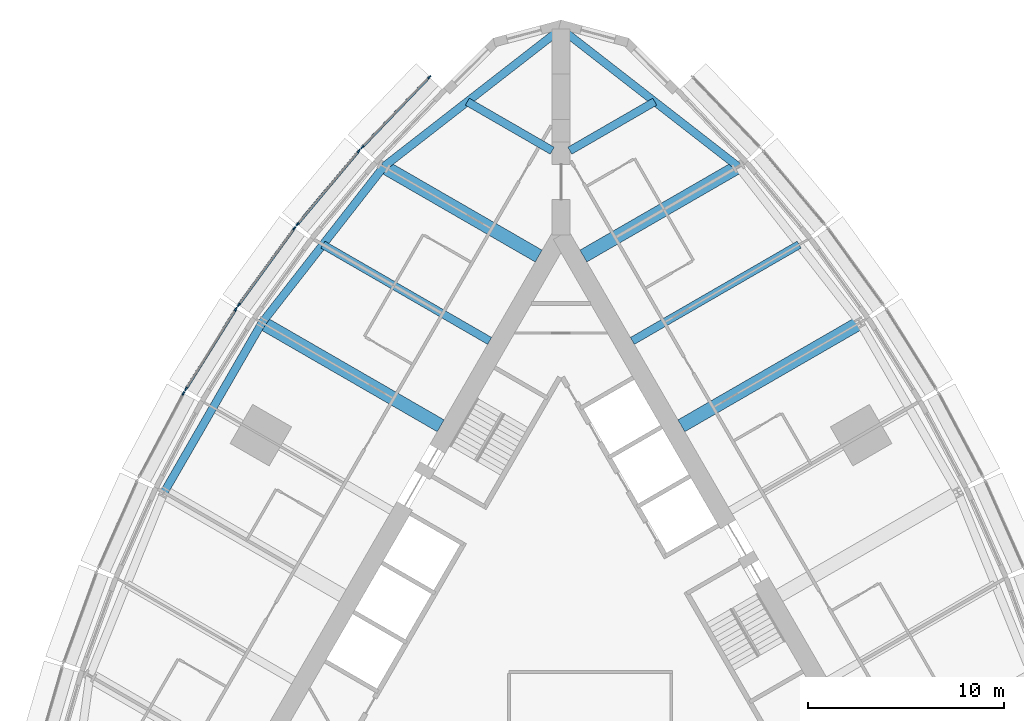
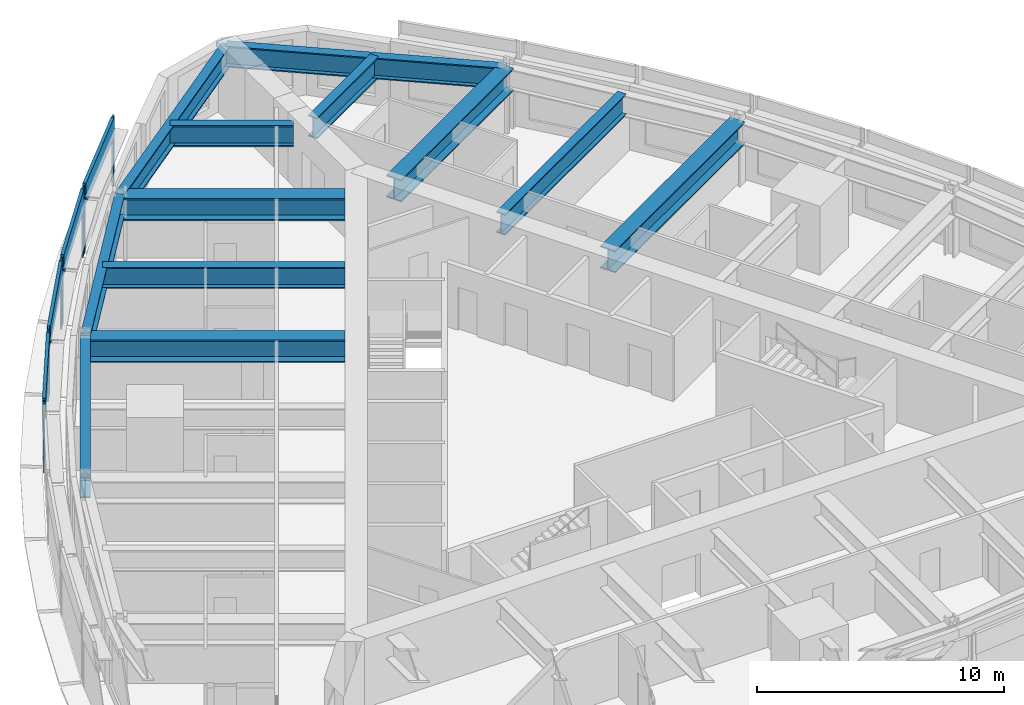
# One storey, part 5 of 15: 13 members, 12 beams, 5 elements without a shape of their own.
"""IFC4 building model written with IfcOpenShell, lengths in metres."""

from ifc_helpers import new_model, si_unit, direction, frame, origin, origin_2d, place, context, subcontext, project, spatial, rectangle, i_section, extrude, material, material_profile, profile_set, type_object, element, aggregate, save


model = new_model("IFC4")

# Units and contexts
model_context = context("Model", 3, precision=1e-05, world=origin(), true_north=direction((0.0, 1.0)))
body_context = subcontext(model_context, "Body", "Model", "MODEL_VIEW")
ifc_project = project(units=[si_unit("LENGTHUNIT", "METRE"), si_unit("AREAUNIT", "SQUARE_METRE"), si_unit("VOLUMEUNIT", "CUBIC_METRE"), si_unit("PLANEANGLEUNIT", "RADIAN"), si_unit("MASSUNIT", "GRAM", prefix="KILO")], contexts=[model_context])

# Site, building, storey
site_placement = place(None, origin())
site = spatial("IfcSite", under=ifc_project, at=site_placement, CompositionType="ELEMENT")
building_placement = place(site_placement, origin())
building = spatial("IfcBuilding", under=site, at=building_placement, Name="Trikona Tower", CompositionType="ELEMENT")
storey_placement = place(building_placement, frame((0.0, 0.0, 186.10009765625)))
storey = spatial("IfcBuildingStorey", under=building, at=storey_placement, Name="L50", CompositionType="ELEMENT", Elevation=186.10009765625)

# Curtain wall, members
ifc_material_1 = material(Name="Aluminium curtain wall system", Category="aluminium")
curtain_wall_type = type_object("IfcCurtainWallType", Name="Curtain wall DS2S", PredefinedType="NOTDEFINED", material=ifc_material_1)
curtain_wall_1_placement = place(storey_placement, origin())
curtain_wall_1 = element("IfcCurtainWall", 1, at=curtain_wall_1_placement, inside=storey, type_object=curtain_wall_type, Name="Curtain wall DS2S L50", PredefinedType="NOTDEFINED")
ifc_material_2 = material(Name="Aluminium mullion, pale anodised", Category="aluminium")
ifc_material_profile_1 = material_profile(ifc_material_2, rectangle(XDim=0.080078125, YDim=0.199951171875, at=origin_2d()), Name="MUL-DS2S")
ifc_profile_set_1 = profile_set([ifc_material_profile_1], Name="Aluminium mullion, pale anodised")
member_type_1 = type_object("IfcMemberType", Name="Mullion DS2S 80x200", PredefinedType="MULLION", material=ifc_profile_set_1)
member_1_placement = place(storey_placement, frame((-6.718994140625, 27.1083984375, 0.0), z_axis=(0.0, 0.0, 1.0), x_axis=(0.722158330767, -0.691727797117, 0.0)))
member_1 = element("IfcMember", 2, at=member_1_placement, type_object=member_type_1, Name="CW-DS2S mullion 1", PredefinedType="MULLION", context=body_context, shape_type="SweptSolid", body=[
    extrude(rectangle(XDim=0.080078125, YDim=0.199951171875, at=origin_2d()), origin(), (0.0, 0.0, 1.0), 3.39990234375),
])
member_2_placement = place(storey_placement, frame((-10.1416015625, 23.535400390625, 0.0), z_axis=(0.0, 0.0, 1.0), x_axis=(0.722158330767, -0.691727797117, 0.0)))
member_2 = element("IfcMember", 3, at=member_2_placement, type_object=member_type_1, Name="CW-DS2S mullion 2", PredefinedType="MULLION", context=body_context, shape_type="SweptSolid", body=[
    extrude(rectangle(XDim=0.080078125, YDim=0.199951171875, at=origin_2d()), origin(), (0.0, 0.0, 1.0), 3.39990234375),
])

curtain_wall_2_placement = place(storey_placement, origin())
curtain_wall_2 = element("IfcCurtainWall", 4, at=curtain_wall_2_placement, inside=storey, type_object=curtain_wall_type, Name="Curtain wall DS2S L50", PredefinedType="NOTDEFINED")
member_3_placement = place(storey_placement, frame((-10.315185546875, 23.34130859375, 0.0), z_axis=(0.0, 0.0, 1.0), x_axis=(0.766866678271, -0.641806433248, 0.0)))
member_3 = element("IfcMember", 5, at=member_3_placement, type_object=member_type_1, Name="CW-DS2S mullion 1", PredefinedType="MULLION", context=body_context, shape_type="SweptSolid", body=[
    extrude(rectangle(XDim=0.080078125, YDim=0.199951171875, at=origin_2d()), origin(), (0.0, 0.0, 1.0), 3.39990234375),
])
member_4_placement = place(storey_placement, frame((-13.44482421875, 19.602294921875, 0.0), z_axis=(0.0, 0.0, 1.0), x_axis=(0.766866678271, -0.641806433248, 0.0)))
member_4 = element("IfcMember", 6, at=member_4_placement, type_object=member_type_1, Name="CW-DS2S mullion 2", PredefinedType="MULLION", context=body_context, shape_type="SweptSolid", body=[
    extrude(rectangle(XDim=0.080078125, YDim=0.199951171875, at=origin_2d()), origin(), (0.0, 0.0, 1.0), 3.39990234375),
])

curtain_wall_3_placement = place(storey_placement, origin())
curtain_wall_3 = element("IfcCurtainWall", 7, at=curtain_wall_3_placement, inside=storey, type_object=curtain_wall_type, Name="Curtain wall DS2S L50", PredefinedType="NOTDEFINED")
member_5_placement = place(storey_placement, frame((-13.605712890625, 19.39599609375, 0.0), z_axis=(0.0, 0.0, 1.0), x_axis=(0.80908576332, -0.587690588313, 0.0)))
member_5 = element("IfcMember", 8, at=member_5_placement, type_object=member_type_1, Name="CW-DS2S mullion 1", PredefinedType="MULLION", context=body_context, shape_type="SweptSolid", body=[
    extrude(rectangle(XDim=0.080078125, YDim=0.199951171875, at=origin_2d()), origin(), (0.0, 0.0, 1.0), 3.39990234375),
])
member_6_placement = place(storey_placement, frame((-16.442626953125, 15.489990234375, 0.0), z_axis=(0.0, 0.0, 1.0), x_axis=(0.80908576332, -0.587690588313, 0.0)))
member_6 = element("IfcMember", 9, at=member_6_placement, type_object=member_type_1, Name="CW-DS2S mullion 2", PredefinedType="MULLION", context=body_context, shape_type="SweptSolid", body=[
    extrude(rectangle(XDim=0.080078125, YDim=0.199951171875, at=origin_2d()), origin(), (0.0, 0.0, 1.0), 3.39990234375),
])

curtain_wall_4_placement = place(storey_placement, origin())
curtain_wall_4 = element("IfcCurtainWall", 10, at=curtain_wall_4_placement, inside=storey, type_object=curtain_wall_type, Name="Curtain wall DS2S L50", PredefinedType="NOTDEFINED")
member_7_placement = place(storey_placement, frame((-16.589599609375, 15.2724609375, 0.0), z_axis=(0.0, 0.0, 1.0), x_axis=(0.847998304006, -0.529998940002, 0.0)))
member_7 = element("IfcMember", 11, at=member_7_placement, type_object=member_type_1, Name="CW-DS2S mullion 1", PredefinedType="MULLION", context=body_context, shape_type="SweptSolid", body=[
    extrude(rectangle(XDim=0.080078125, YDim=0.199951171875, at=origin_2d()), origin(), (0.0, 0.0, 1.0), 3.39990234375),
])
member_8_placement = place(storey_placement, frame((-19.135009765625, 11.199462890625, 0.0), z_axis=(0.0, 0.0, 1.0), x_axis=(0.847998304006, -0.529998940002, 0.0)))
member_8 = element("IfcMember", 12, at=member_8_placement, type_object=member_type_1, Name="CW-DS2S mullion 2", PredefinedType="MULLION", context=body_context, shape_type="SweptSolid", body=[
    extrude(rectangle(XDim=0.080078125, YDim=0.199951171875, at=origin_2d()), origin(), (0.0, 0.0, 1.0), 3.39990234375),
])

# Curtain wall, member
curtain_wall_5_placement = place(storey_placement, origin())
curtain_wall_5 = element("IfcCurtainWall", 13, at=curtain_wall_5_placement, inside=storey, type_object=curtain_wall_type, Name="Curtain wall DS2S L50", PredefinedType="NOTDEFINED")
member_9_placement = place(storey_placement, frame((-19.2666015625, 10.9716796875, 0.0), z_axis=(0.0, 0.0, 1.0), x_axis=(0.882996107343, -0.469380308937, 0.0)))
member_9 = element("IfcMember", 14, at=member_9_placement, type_object=member_type_1, Name="CW-DS2S mullion 1", PredefinedType="MULLION", context=body_context, shape_type="SweptSolid", body=[
    extrude(rectangle(XDim=0.080078125, YDim=0.199951171875, at=origin_2d()), origin(), (0.0, 0.0, 1.0), 3.39990234375),
])
aggregate(curtain_wall_5, [member_9])

# Beams
ifc_material_3 = material(Name="Steel ASTM A992 Grade 50", Category="steel")
ifc_material_profile_2 = material_profile(ifc_material_3, i_section(OverallWidth=0.699951171875, OverallDepth=1.10009765625, WebThickness=0.0400390625, FlangeThickness=0.06005859375, at=origin_2d()), Name="PG1100X700")
ifc_profile_set_2 = profile_set([ifc_material_profile_2], Name="Steel ASTM A992 Grade 50")
beam_type_1 = type_object("IfcBeamType", Name="Steel beam PG1100x700 (belt chord radial)", PredefinedType="BEAM", material=ifc_profile_set_2)
beam_1_placement = place(storey_placement, frame((6.1396484375, 9.318359375, 2.599853515625), z_axis=(0.866036080828, 0.499981506362, 0.0), x_axis=(-0.499981506362, 0.866036080828, 0.0)))
element("IfcBeam", 15, at=beam_1_placement, inside=storey, type_object=beam_type_1, Name="Floor beam L51 F2 u5", PredefinedType="BEAM", context=body_context, shape_type="SweptSolid", body=[
    extrude(i_section(OverallWidth=0.699951171875, OverallDepth=1.10009765625, WebThickness=0.0400390625, FlangeThickness=0.06005859375, at=origin_2d()), origin(), (0.0, 0.0, 1.0), 10.52392578125),
])
for number, where, z_axis, x_axis, name in (
    (16, (1.1396484375, 17.978515625, 2.599853515625), (0.866024725532, 0.500001174766, 0.0), (-0.500001174766, 0.866024725532, 0.0), "Floor beam L51 F2 u15"),
    (17, (-1.1396484375, 17.978515625, 2.599853515625), (-0.866024725532, 0.500001174766, 0.0), (-0.500001174766, -0.866024725532, 0.0), "Floor beam L51 F3 u-15"),
):
    element("IfcBeam", number, at=place(storey_placement, frame(where, z_axis=z_axis, x_axis=x_axis)), inside=storey, type_object=beam_type_1, Name=name, PredefinedType="BEAM", context=body_context, shape_type="SweptSolid", body=[
        extrude(i_section(OverallWidth=0.699951171875, OverallDepth=1.10009765625, WebThickness=0.0400390625, FlangeThickness=0.06005859375, at=origin_2d()), origin(), (0.0, 0.0, 1.0), 9.1240234375),
    ])
beam_2_placement = place(storey_placement, frame((-6.1396484375, 9.318359375, 2.599853515625), z_axis=(-0.866036080828, 0.499981506362, 0.0), x_axis=(-0.499981506362, -0.866036080828, 0.0)))
element("IfcBeam", 18, at=beam_2_placement, inside=storey, type_object=beam_type_1, Name="Floor beam L51 F3 u-5", PredefinedType="BEAM", context=body_context, shape_type="SweptSolid", body=[
    extrude(i_section(OverallWidth=0.699951171875, OverallDepth=1.10009765625, WebThickness=0.0400390625, FlangeThickness=0.06005859375, at=origin_2d()), origin(), (0.0, 0.0, 1.0), 10.52392578125),
])
ifc_material_4 = material(Name="Steel ASTM A992 Grade 50", Category="steel")
ifc_material_profile_3 = material_profile(ifc_material_4, i_section(OverallWidth=0.408935546875, OverallDepth=1.04150390625, WebThickness=0.031005859375, FlangeThickness=0.055908203125, at=origin_2d()), Name="W40X397")
ifc_profile_set_3 = profile_set([ifc_material_profile_3], Name="Steel ASTM A992 Grade 50")
beam_type_2 = type_object("IfcBeamType", Name="Steel beam W40x397 (plant spandrel)", PredefinedType="SPANDREL", material=ifc_profile_set_3)
for number, where, z_axis, x_axis, name in (
    (19, (9.041259765625, 22.54052734375, 2.629150390625), (-0.789367137808, 0.613921429621, 0.0), (-0.613921429621, -0.789367137808, 0.0), "Spandrel beam L51 F2-5"),
    (20, (0.0, 29.572265625, 2.629150390625), (-0.789367137808, -0.613921429621, 0.0), (0.613921429621, -0.789367137808, 0.0), "Spandrel beam L51 F3-1"),
):
    element("IfcBeam", number, at=place(storey_placement, frame(where, z_axis=z_axis, x_axis=x_axis)), inside=storey, type_object=beam_type_2, Name=name, PredefinedType="SPANDREL", context=body_context, shape_type="SweptSolid", body=[
        extrude(i_section(OverallWidth=0.408935546875, OverallDepth=1.04150390625, WebThickness=0.031005859375, FlangeThickness=0.055908203125, at=origin_2d()), origin(), (0.0, 0.0, 1.0), 11.453857421875),
    ])
beam_3_placement = place(storey_placement, frame((-9.041259765625, 22.54052734375, 2.629150390625), z_axis=(-0.615232009054, -0.788346101046, 0.0), x_axis=(0.788346101046, -0.615232009054, 0.0)))
element("IfcBeam", 21, at=beam_3_placement, inside=storey, type_object=beam_type_2, Name="Spandrel beam L51 F3-2", PredefinedType="SPANDREL", context=body_context, shape_type="SweptSolid", body=[
    extrude(i_section(OverallWidth=0.408935546875, OverallDepth=1.04150390625, WebThickness=0.031005859375, FlangeThickness=0.055908203125, at=origin_2d()), origin(), (0.0, 0.0, 1.0), 10.09765625),
])
beam_4_placement = place(storey_placement, frame((-15.253662109375, 14.580078125, 2.629150390625), z_axis=(-0.500004234368, -0.866022959057, 0.0), x_axis=(0.866022959057, -0.500004234368, 0.0)))
element("IfcBeam", 22, at=beam_4_placement, inside=storey, type_object=beam_type_2, Name="Spandrel beam L51 F3-3", PredefinedType="SPANDREL", context=body_context, shape_type="SweptSolid", body=[
    extrude(i_section(OverallWidth=0.408935546875, OverallDepth=1.04150390625, WebThickness=0.031005859375, FlangeThickness=0.055908203125, at=origin_2d()), origin(), (0.0, 0.0, 1.0), 10.0),
])
ifc_material_5 = material(Name="Steel ASTM A992 Grade 50", Category="steel")
ifc_material_profile_4 = material_profile(ifc_material_5, i_section(OverallWidth=0.408935546875, OverallDepth=1.04150390625, WebThickness=0.031005859375, FlangeThickness=0.055908203125, at=origin_2d()), Name="W40X397")
ifc_profile_set_4 = profile_set([ifc_material_profile_4], Name="Steel ASTM A992 Grade 50")
beam_type_3 = type_object("IfcBeamType", Name="Steel beam W40x397 (plant)", PredefinedType="BEAM", material=ifc_profile_set_4)
for number, where, z_axis, x_axis, name in (
    (23, (3.6396484375, 13.6484375, 2.629150390625), (0.866030807744, 0.499990639951, 0.0), (-0.499990639951, 0.866030807744, 0.0), "Floor beam L51 F2 u10"),
    (24, (-3.6396484375, 13.6484375, 2.629150390625), (-0.866030807744, 0.499990639951, 0.0), (-0.499990639951, -0.866030807744, 0.0), "Floor beam L51 F3 u-10"),
):
    element("IfcBeam", number, at=place(storey_placement, frame(where, z_axis=z_axis, x_axis=x_axis)), inside=storey, type_object=beam_type_3, Name=name, PredefinedType="BEAM", context=body_context, shape_type="SweptSolid", body=[
        extrude(i_section(OverallWidth=0.408935546875, OverallDepth=1.04150390625, WebThickness=0.031005859375, FlangeThickness=0.055908203125, at=origin_2d()), origin(), (0.0, 0.0, 1.0), 9.823974609375),
    ])
ifc_material_6 = material(Name="Steel ASTM A992 Grade 50", Category="steel")
ifc_material_profile_5 = material_profile(ifc_material_6, i_section(OverallWidth=0.411376953125, OverallDepth=1.049072265625, WebThickness=0.033935546875, FlangeThickness=0.06005859375, at=origin_2d()), Name="W40X431")
ifc_profile_set_5 = profile_set([ifc_material_profile_5], Name="Steel ASTM A992 Grade 50")
beam_type_4 = type_object("IfcBeamType", Name="Steel beam W40x431 (plant wedge)", PredefinedType="BEAM", material=ifc_profile_set_5)
for number, where, z_axis, x_axis, name in (
    (25, (0.449951171875, 23.353759765625, 2.62548828125), (0.866038434829, 0.49997742889, 0.0), (-0.49997742889, 0.866038434829, 0.0), "Floor beam L51 F2 u20"),
    (26, (-0.449951171875, 23.353759765625, 2.62548828125), (-0.866038434829, 0.49997742889, 0.0), (-0.49997742889, -0.866038434829, 0.0), "Floor beam L51 F3 u-20"),
):
    element("IfcBeam", number, at=place(storey_placement, frame(where, z_axis=z_axis, x_axis=x_axis)), inside=storey, type_object=beam_type_4, Name=name, PredefinedType="BEAM", context=body_context, shape_type="SweptSolid", body=[
        extrude(i_section(OverallWidth=0.411376953125, OverallDepth=1.049072265625, WebThickness=0.033935546875, FlangeThickness=0.06005859375, at=origin_2d()), origin(), (0.0, 0.0, 1.0), 5.000732421875),
    ])

# Member
ifc_material_7 = material(Name="Aluminium transom, pale anodised", Category="aluminium")
ifc_material_profile_6 = material_profile(ifc_material_7, rectangle(XDim=0.139892578125, YDim=1.0, at=origin_2d()), Name="TRN-DS2S")
ifc_profile_set_6 = profile_set([ifc_material_profile_6], Name="Aluminium transom, pale anodised")
member_type_2 = type_object("IfcMemberType", Name="Transom DS2S 1000x140", PredefinedType="USERDEFINED", material=ifc_profile_set_6)
member_10_placement = place(storey_placement, frame((-6.746826171875, 27.07958984375, 2.89990234375), z_axis=(-0.691721246785, -0.722164605022, 0.0), x_axis=(0.722164605022, -0.691721246785, 0.0)))
member_10 = element("IfcMember", 27, at=member_10_placement, type_object=member_type_2, Name="CW-DS2S transom 1.1", ObjectType="TRANSOM", PredefinedType="USERDEFINED", context=body_context, shape_type="SweptSolid", body=[
    extrude(rectangle(XDim=0.139892578125, YDim=1.0, at=origin_2d()), origin(), (0.0, 0.0, 1.0), 4.867919921875),
])

aggregate(curtain_wall_1, [member_1, member_2, member_10])

member_11_placement = place(storey_placement, frame((-10.341064453125, 23.310791015625, 2.89990234375), z_axis=(-0.641770294892, -0.766896921753, 0.0), x_axis=(0.766896921753, -0.641770294892, 0.0)))
member_11 = element("IfcMember", 28, at=member_11_placement, type_object=member_type_2, Name="CW-DS2S transom 1.1", ObjectType="TRANSOM", PredefinedType="USERDEFINED", context=body_context, shape_type="SweptSolid", body=[
    extrude(rectangle(XDim=0.139892578125, YDim=1.0, at=origin_2d()), origin(), (0.0, 0.0, 1.0), 4.7958984375),
])

aggregate(curtain_wall_2, [member_3, member_4, member_11])

member_12_placement = place(storey_placement, frame((-13.629150390625, 19.363525390625, 2.89990234375), z_axis=(-0.587694585883, -0.809082859616, 0.0), x_axis=(0.809082859616, -0.587694585883, 0.0)))
member_12 = element("IfcMember", 29, at=member_12_placement, type_object=member_type_2, Name="CW-DS2S transom 1.1", ObjectType="TRANSOM", PredefinedType="USERDEFINED", context=body_context, shape_type="SweptSolid", body=[
    extrude(rectangle(XDim=0.139892578125, YDim=1.0, at=origin_2d()), origin(), (0.0, 0.0, 1.0), 4.747314453125),
])

aggregate(curtain_wall_3, [member_5, member_6, member_12])

member_13_placement = place(storey_placement, frame((-16.610595703125, 15.238525390625, 2.89990234375), z_axis=(-0.530031463794, -0.847977975769, 0.0), x_axis=(0.847977975769, -0.530031463794, 0.0)))
member_13 = element("IfcMember", 30, at=member_13_placement, type_object=member_type_2, Name="CW-DS2S transom 1.1", ObjectType="TRANSOM", PredefinedType="USERDEFINED", context=body_context, shape_type="SweptSolid", body=[
    extrude(rectangle(XDim=0.139892578125, YDim=1.0, at=origin_2d()), origin(), (0.0, 0.0, 1.0), 4.72314453125),
])

aggregate(curtain_wall_4, [member_7, member_8, member_13])

save(model, "model.ifc")
